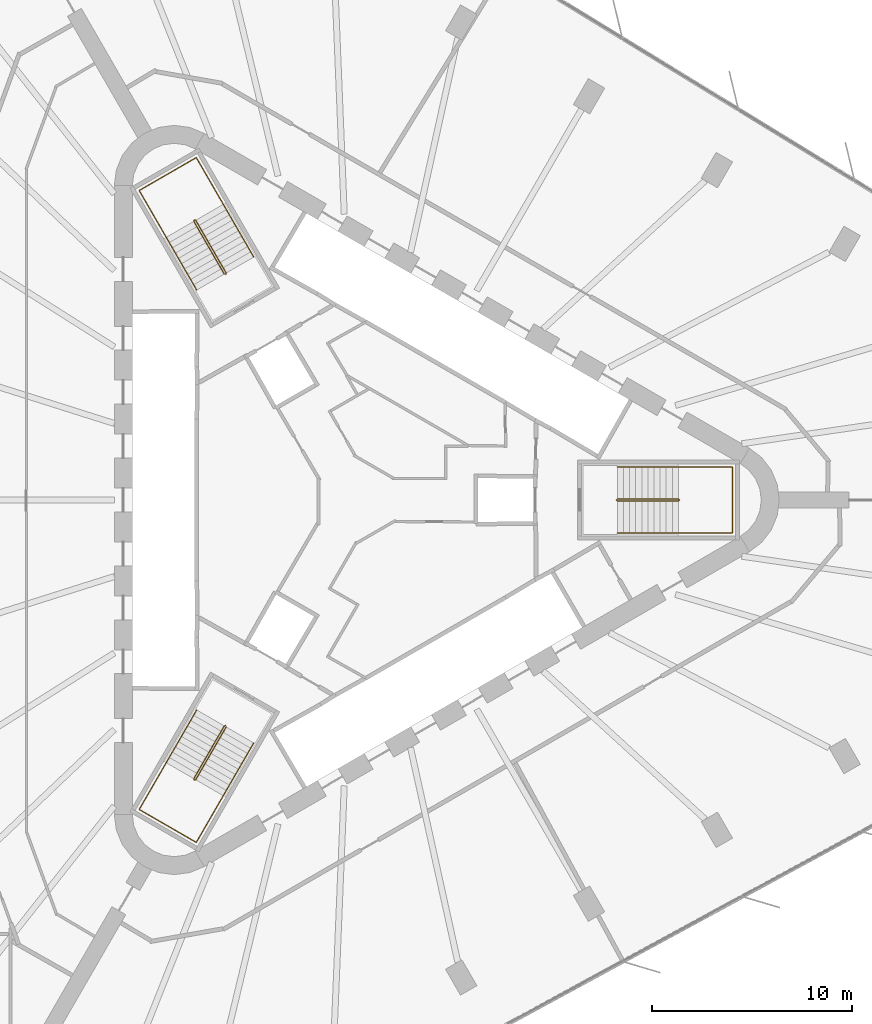
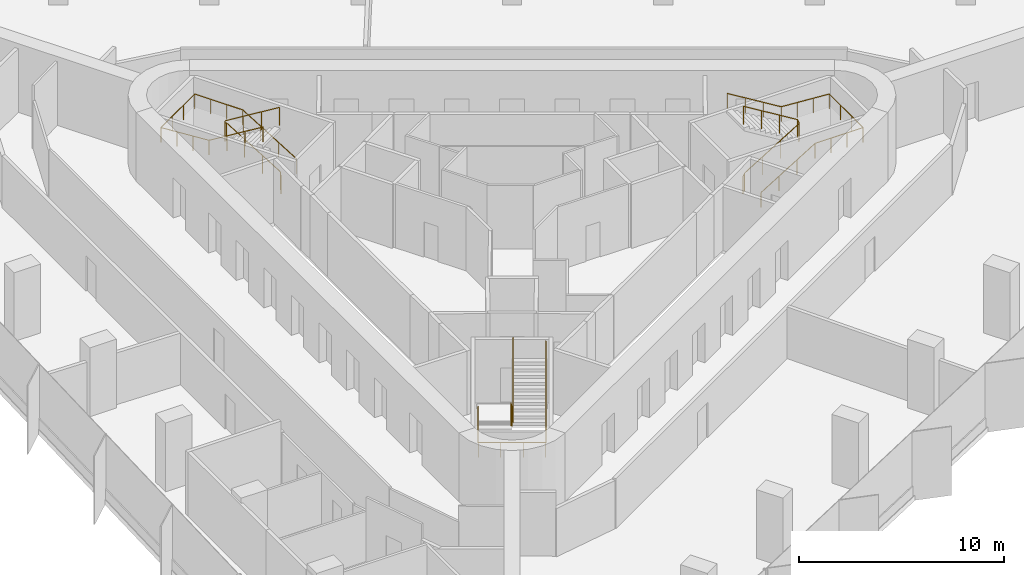
# One storey, part 13 of 13: 6 railings.
"""IFC4 building model written with IfcOpenShell, lengths in metres."""

from ifc_helpers import new_model, si_unit, direction, frame, origin, origin_2d, place, context, subcontext, project, spatial, circle, extrude, material, type_object, element, save


model = new_model("IFC4")

# Units and contexts
model_context = context("Model", 3, precision=1e-05, world=origin(), true_north=direction((0.0, 1.0)))
body_context = subcontext(model_context, "Body", "Model", "MODEL_VIEW")
ifc_project = project(units=[si_unit("LENGTHUNIT", "METRE"), si_unit("AREAUNIT", "SQUARE_METRE"), si_unit("VOLUMEUNIT", "CUBIC_METRE"), si_unit("PLANEANGLEUNIT", "RADIAN"), si_unit("MASSUNIT", "GRAM", prefix="KILO")], contexts=[model_context])

# Site, building, storey
site_placement = place(None, origin())
site = spatial("IfcSite", under=ifc_project, at=site_placement, CompositionType="ELEMENT")
building_placement = place(site_placement, origin())
building = spatial("IfcBuilding", under=site, at=building_placement, Name="Tanit Gate Tower", CompositionType="ELEMENT")
storey_placement = place(building_placement, frame((0.0, 0.0, 61.89990234375)))
storey = spatial("IfcBuildingStorey", under=building, at=storey_placement, Name="L11", CompositionType="ELEMENT", Elevation=61.89990234375)

# Railings
ifc_material_1 = material(Name="Stainless steel balustrade", Category="steel")
railing_type_1 = type_object("IfcRailingType", Name="INT-STAIR-GUARD", PredefinedType="GUARDRAIL", material=ifc_material_1)
railing_1_placement = place(storey_placement, frame((13.044921875, 0.0048828125, 0.0)))
element("IfcRailing", 1, at=railing_1_placement, inside=storey, type_object=railing_type_1, Name="L11 S1 stair guard 1", PredefinedType="GUARDRAIL", context=body_context, shape_type="SweptSolid", body=[
    extrude(circle(Radius=0.02392578125, at=origin_2d()), frame((0.0, 0.0, 1.076171875), z_axis=(0.0, -1.0, 0.0), x_axis=(1.0, 0.0, 0.0)), (0.0, 0.0, 1.0), 0.009765625),
    extrude(circle(Radius=0.02392578125, at=origin_2d()), frame((0.0, -0.009765625, 1.076171875), z_axis=(0.250869701741, -0.250869701741, 0.934948546978), x_axis=(0.707106781187, 0.707106781187, 0.0)), (0.0, 0.0, 1.0), 0.199462890625),
    extrude(circle(Radius=0.02392578125, at=origin_2d()), frame((0.050048828125, -0.059814453125, 1.2626953125), z_axis=(0.853405036568, 0.0, 0.521248351134), x_axis=(0.0, 1.0, 0.0)), (0.0, 0.0, 1.0), 3.5751953125),
    extrude(circle(Radius=0.02392578125, at=origin_2d()), frame((3.10107421875, -0.059814453125, 3.1259765625), z_axis=(0.707106781187, 0.707106781187, 0.0), x_axis=(-0.707106781187, 0.707106781187, 0.0)), (0.0, 0.0, 1.0), 0.07080078125),
    extrude(circle(Radius=0.02392578125, at=origin_2d()), frame((3.151123046875, -0.009765625, 3.1259765625), z_axis=(0.0, 1.0, 0.0), x_axis=(-1.0, 0.0, 0.0)), (0.0, 0.0, 1.0), 0.009765625),
    extrude(circle(Radius=0.02392578125, at=origin_2d()), frame((3.151123046875, 0.0, 3.1259765625), z_axis=(-0.250869701741, 0.250869701741, 0.934948546978), x_axis=(-0.707106781187, -0.707106781187, 0.0)), (0.0, 0.0, 1.0), 0.199462890625),
    extrude(circle(Radius=0.02392578125, at=origin_2d()), frame((3.10107421875, 0.050048828125, 3.3125), z_axis=(-0.853405036568, 0.0, 0.521248351134), x_axis=(0.0, -1.0, 0.0)), (0.0, 0.0, 1.0), 3.5751953125),
    extrude(circle(Radius=0.02099609375, at=origin_2d()), origin(), (0.0, 0.0, 1.0), 1.052001953125),
    extrude(circle(Radius=0.02099609375, at=origin_2d()), frame((0.0, -0.009765625, 0.0)), (0.0, 0.0, 1.0), 1.052001953125),
    extrude(circle(Radius=0.02099609375, at=origin_2d()), frame((0.050048828125, -0.059814453125, 0.1865234375)), (0.0, 0.0, 1.0), 1.052001953125),
    extrude(circle(Radius=0.02099609375, at=origin_2d()), frame((1.067138671875, -0.059814453125, 0.8076171875)), (0.0, 0.0, 1.0), 1.052001953125),
    extrude(circle(Radius=0.02099609375, at=origin_2d()), frame((2.083984375, -0.059814453125, 1.428955078125)), (0.0, 0.0, 1.0), 1.052001953125),
    extrude(circle(Radius=0.02099609375, at=origin_2d()), frame((3.10107421875, -0.059814453125, 2.050048828125)), (0.0, 0.0, 1.0), 1.052001953125),
    extrude(circle(Radius=0.02099609375, at=origin_2d()), frame((3.151123046875, -0.009765625, 2.050048828125)), (0.0, 0.0, 1.0), 1.052001953125),
    extrude(circle(Radius=0.02099609375, at=origin_2d()), frame((3.151123046875, 0.0, 2.050048828125)), (0.0, 0.0, 1.0), 1.052001953125),
    extrude(circle(Radius=0.02099609375, at=origin_2d()), frame((3.10107421875, 0.050048828125, 2.236572265625)), (0.0, 0.0, 1.0), 1.052001953125),
    extrude(circle(Radius=0.02099609375, at=origin_2d()), frame((2.083984375, 0.050048828125, 2.857666015625)), (0.0, 0.0, 1.0), 1.052001953125),
    extrude(circle(Radius=0.02099609375, at=origin_2d()), frame((1.067138671875, 0.050048828125, 3.47900390625)), (0.0, 0.0, 1.0), 1.052001953125),
    extrude(circle(Radius=0.02099609375, at=origin_2d()), frame((0.050048828125, 0.050048828125, 4.10009765625)), (0.0, 0.0, 1.0), 1.052001953125),
])
railing_2_placement = place(storey_placement, frame((-6.527099609375, 11.29345703125, 0.0)))
element("IfcRailing", 2, at=railing_2_placement, inside=storey, type_object=railing_type_1, Name="L11 S2 stair guard 1", PredefinedType="GUARDRAIL", context=body_context, shape_type="SweptSolid", body=[
    extrude(circle(Radius=0.02392578125, at=origin_2d()), frame((0.0, 0.0, 1.076171875), z_axis=(0.868243142124, 0.496138938357, 0.0), x_axis=(-0.496138938357, 0.868243142124, 0.0)), (0.0, 0.0, 1.0), 0.01171875),
    extrude(circle(Radius=0.02392578125, at=origin_2d()), frame((0.01025390625, 0.005859375, 1.076171875), z_axis=(0.09178331637, 0.342657714447, 0.934966049419), x_axis=(-0.965948051503, 0.258736085224, 0.0)), (0.0, 0.0, 1.0), 0.199462890625),
    extrude(circle(Radius=0.02392578125, at=origin_2d()), frame((0.028564453125, 0.07421875, 1.2626953125), z_axis=(-0.426651696395, 0.73893750972, 0.521478366466), x_axis=(-0.866012246495, -0.500022788402, 0.0)), (0.0, 0.0, 1.0), 3.573486328125),
    extrude(circle(Radius=0.02392578125, at=origin_2d()), frame((-1.49609375, 2.71484375, 3.1259765625), z_axis=(-0.965715946433, 0.259601060869, 0.0), x_axis=(-0.259601060869, -0.965715946433, 0.0)), (0.0, 0.0, 1.0), 0.070556640625),
    extrude(circle(Radius=0.02392578125, at=origin_2d()), frame((-1.564208984375, 2.733154296875, 3.1259765625), z_axis=(-0.873197702015, -0.487366159264, 0.0), x_axis=(0.487366159264, -0.873197702015, 0.0)), (0.0, 0.0, 1.0), 0.011962890625),
    extrude(circle(Radius=0.02392578125, at=origin_2d()), frame((-1.57470703125, 2.727294921875, 3.1259765625), z_axis=(-0.09178331637, -0.342657714447, 0.934966049419), x_axis=(0.965948051503, -0.258736085224, 0.0)), (0.0, 0.0, 1.0), 0.199462890625),
    extrude(circle(Radius=0.02392578125, at=origin_2d()), frame((-1.593017578125, 2.658935546875, 3.3125), z_axis=(0.426651696395, -0.73893750972, 0.521478366466), x_axis=(0.866012246495, 0.500022788402, 0.0)), (0.0, 0.0, 1.0), 3.573486328125),
    extrude(circle(Radius=0.02099609375, at=origin_2d()), origin(), (0.0, 0.0, 1.0), 1.052001953125),
    extrude(circle(Radius=0.02099609375, at=origin_2d()), frame((0.01025390625, 0.005859375, 0.0)), (0.0, 0.0, 1.0), 1.052001953125),
    extrude(circle(Radius=0.02099609375, at=origin_2d()), frame((0.028564453125, 0.07421875, 0.1865234375)), (0.0, 0.0, 1.0), 1.052001953125),
    extrude(circle(Radius=0.02099609375, at=origin_2d()), frame((-0.479736328125, 0.954345703125, 0.8076171875)), (0.0, 0.0, 1.0), 1.052001953125),
    extrude(circle(Radius=0.02099609375, at=origin_2d()), frame((-0.98779296875, 1.834716796875, 1.428955078125)), (0.0, 0.0, 1.0), 1.052001953125),
    extrude(circle(Radius=0.02099609375, at=origin_2d()), frame((-1.49609375, 2.71484375, 2.050048828125)), (0.0, 0.0, 1.0), 1.052001953125),
    extrude(circle(Radius=0.02099609375, at=origin_2d()), frame((-1.564208984375, 2.733154296875, 2.050048828125)), (0.0, 0.0, 1.0), 1.052001953125),
    extrude(circle(Radius=0.02099609375, at=origin_2d()), frame((-1.57470703125, 2.727294921875, 2.050048828125)), (0.0, 0.0, 1.0), 1.052001953125),
    extrude(circle(Radius=0.02099609375, at=origin_2d()), frame((-1.593017578125, 2.658935546875, 2.236572265625)), (0.0, 0.0, 1.0), 1.052001953125),
    extrude(circle(Radius=0.02099609375, at=origin_2d()), frame((-1.084716796875, 1.77880859375, 2.857666015625)), (0.0, 0.0, 1.0), 1.052001953125),
    extrude(circle(Radius=0.02099609375, at=origin_2d()), frame((-0.57666015625, 0.8984375, 3.47900390625)), (0.0, 0.0, 1.0), 1.052001953125),
    extrude(circle(Radius=0.02099609375, at=origin_2d()), frame((-0.068359375, 0.018310546875, 4.10009765625)), (0.0, 0.0, 1.0), 1.052001953125),
])
railing_3_placement = place(storey_placement, frame((-6.51806640625, -11.2998046875, 0.0)))
element("IfcRailing", 3, at=railing_3_placement, inside=storey, type_object=railing_type_1, Name="L11 S3 stair guard 1", PredefinedType="GUARDRAIL", context=body_context, shape_type="SweptSolid", body=[
    extrude(circle(Radius=0.02392578125, at=origin_2d()), frame((0.0, 0.0, 1.076171875), z_axis=(-0.874157276122, 0.485642931179, 0.0), x_axis=(-0.485642931179, -0.874157276122, 0.0)), (0.0, 0.0, 1.0), 0.010009765625),
    extrude(circle(Radius=0.02392578125, at=origin_2d()), frame((-0.0087890625, 0.0048828125, 1.076171875), z_axis=(-0.342695952383, -0.090569644558, 0.935070384359), x_axis=(0.255512919477, -0.966805641264, 0.0)), (0.0, 0.0, 1.0), 0.199462890625),
    extrude(circle(Radius=0.02392578125, at=origin_2d()), frame((-0.0771484375, -0.01318359375, 1.2626953125), z_axis=(-0.426668548982, -0.73908990167, 0.521248565042), x_axis=(0.866048339477, -0.499960272111, 0.0)), (0.0, 0.0, 1.0), 3.5751953125),
    extrude(circle(Radius=0.02392578125, at=origin_2d()), frame((-1.6025390625, -2.655517578125, 3.1259765625), z_axis=(0.258736085224, -0.965948051503, 0.0), x_axis=(0.965948051503, 0.258736085224, 0.0)), (0.0, 0.0, 1.0), 0.07080078125),
    extrude(circle(Radius=0.02392578125, at=origin_2d()), frame((-1.584228515625, -2.723876953125, 3.1259765625), z_axis=(0.868243142124, -0.496138938357, 0.0), x_axis=(0.496138938357, 0.868243142124, 0.0)), (0.0, 0.0, 1.0), 0.009765625),
    extrude(circle(Radius=0.02392578125, at=origin_2d()), frame((-1.57568359375, -2.728759765625, 3.1259765625), z_axis=(0.342657714447, 0.09178331637, 0.934966049419), x_axis=(-0.258736085224, 0.965948051503, 0.0)), (0.0, 0.0, 1.0), 0.199462890625),
    extrude(circle(Radius=0.02392578125, at=origin_2d()), frame((-1.50732421875, -2.71044921875, 3.3125), z_axis=(0.426745940485, 0.73903737685, 0.521259683745), x_axis=(-0.865993683553, 0.500054937028, 0.0)), (0.0, 0.0, 1.0), 3.574951171875),
    extrude(circle(Radius=0.02099609375, at=origin_2d()), origin(), (0.0, 0.0, 1.0), 1.052001953125),
    extrude(circle(Radius=0.02099609375, at=origin_2d()), frame((-0.0087890625, 0.0048828125, 0.0)), (0.0, 0.0, 1.0), 1.052001953125),
    extrude(circle(Radius=0.02099609375, at=origin_2d()), frame((-0.0771484375, -0.01318359375, 0.1865234375)), (0.0, 0.0, 1.0), 1.052001953125),
    extrude(circle(Radius=0.02099609375, at=origin_2d()), frame((-0.585693359375, -0.89404296875, 0.8076171875)), (0.0, 0.0, 1.0), 1.052001953125),
    extrude(circle(Radius=0.02099609375, at=origin_2d()), frame((-1.093994140625, -1.774658203125, 1.428955078125)), (0.0, 0.0, 1.0), 1.052001953125),
    extrude(circle(Radius=0.02099609375, at=origin_2d()), frame((-1.6025390625, -2.655517578125, 2.050048828125)), (0.0, 0.0, 1.0), 1.052001953125),
    extrude(circle(Radius=0.02099609375, at=origin_2d()), frame((-1.584228515625, -2.723876953125, 2.050048828125)), (0.0, 0.0, 1.0), 1.052001953125),
    extrude(circle(Radius=0.02099609375, at=origin_2d()), frame((-1.57568359375, -2.728759765625, 2.050048828125)), (0.0, 0.0, 1.0), 1.052001953125),
    extrude(circle(Radius=0.02099609375, at=origin_2d()), frame((-1.50732421875, -2.71044921875, 2.236572265625)), (0.0, 0.0, 1.0), 1.052001953125),
    extrude(circle(Radius=0.02099609375, at=origin_2d()), frame((-0.998779296875, -1.829833984375, 2.857666015625)), (0.0, 0.0, 1.0), 1.052001953125),
    extrude(circle(Radius=0.02099609375, at=origin_2d()), frame((-0.490234375, -0.948974609375, 3.47900390625)), (0.0, 0.0, 1.0), 1.052001953125),
    extrude(circle(Radius=0.02099609375, at=origin_2d()), frame((0.018310546875, -0.068359375, 4.10009765625)), (0.0, 0.0, 1.0), 1.052001953125),
])
ifc_material_2 = material(Name="Stainless steel handrail", Category="steel")
railing_type_2 = type_object("IfcRailingType", Name="INT-STAIR-HANDRAIL", PredefinedType="HANDRAIL", material=ifc_material_2)
railing_4_placement = place(storey_placement, frame((13.094970703125, -1.64990234375, 0.1865234375)))
element("IfcRailing", 4, at=railing_4_placement, inside=storey, type_object=railing_type_2, Name="L11 S1 stair handrail 1", PredefinedType="HANDRAIL", context=body_context, shape_type="SweptSolid", body=[
    extrude(circle(Radius=0.02392578125, at=origin_2d()), frame((0.0, 0.0, 0.8759765625), z_axis=(0.853405036568, 0.0, 0.521248351134), x_axis=(0.0, 1.0, 0.0)), (0.0, 0.0, 1.0), 3.5751953125),
    extrude(circle(Radius=0.02392578125, at=origin_2d()), frame((3.051025390625, 0.0, 2.7392578125), z_axis=(1.0, 0.0, 0.0), x_axis=(0.0, 1.0, 0.0)), (0.0, 0.0, 1.0), 2.7041015625),
    extrude(circle(Radius=0.02392578125, at=origin_2d()), frame((5.755126953125, 0.0, 2.7392578125), z_axis=(0.0, 1.0, 0.0), x_axis=(-1.0, 0.0, 0.0)), (0.0, 0.0, 1.0), 3.2998046875),
    extrude(circle(Radius=0.02392578125, at=origin_2d()), frame((5.755126953125, 3.2998046875, 2.7392578125), z_axis=(-0.997629475601, 0.0, 0.068814456425), x_axis=(0.0, -1.0, 0.0)), (0.0, 0.0, 1.0), 2.71044921875),
    extrude(circle(Radius=0.02392578125, at=origin_2d()), frame((3.051025390625, 3.2998046875, 2.92578125), z_axis=(-0.853405036568, 0.0, 0.521248351134), x_axis=(0.0, -1.0, 0.0)), (0.0, 0.0, 1.0), 3.5751953125),
    extrude(circle(Radius=0.02099609375, at=origin_2d()), origin(), (0.0, 0.0, 1.0), 0.851806640625),
    extrude(circle(Radius=0.02099609375, at=origin_2d()), frame((1.01708984375, 0.0, 0.62109375)), (0.0, 0.0, 1.0), 0.851806640625),
    extrude(circle(Radius=0.02099609375, at=origin_2d()), frame((2.033935546875, 0.0, 1.242431640625)), (0.0, 0.0, 1.0), 0.851806640625),
    extrude(circle(Radius=0.02099609375, at=origin_2d()), frame((3.051025390625, 0.0, 1.863525390625)), (0.0, 0.0, 1.0), 0.851806640625),
    extrude(circle(Radius=0.02099609375, at=origin_2d()), frame((3.952392578125, 0.0, 1.863525390625)), (0.0, 0.0, 1.0), 0.851806640625),
    extrude(circle(Radius=0.02099609375, at=origin_2d()), frame((4.853759765625, 0.0, 1.863525390625)), (0.0, 0.0, 1.0), 0.851806640625),
    extrude(circle(Radius=0.02099609375, at=origin_2d()), frame((5.755126953125, 0.0, 1.863525390625)), (0.0, 0.0, 1.0), 0.851806640625),
    extrude(circle(Radius=0.02099609375, at=origin_2d()), frame((5.755126953125, 1.099853515625, 1.863525390625)), (0.0, 0.0, 1.0), 0.851806640625),
    extrude(circle(Radius=0.02099609375, at=origin_2d()), frame((5.755126953125, 2.199951171875, 1.863525390625)), (0.0, 0.0, 1.0), 0.851806640625),
    extrude(circle(Radius=0.02099609375, at=origin_2d()), frame((5.755126953125, 3.2998046875, 1.863525390625)), (0.0, 0.0, 1.0), 0.851806640625),
    extrude(circle(Radius=0.02099609375, at=origin_2d()), frame((4.853759765625, 3.2998046875, 1.92578125)), (0.0, 0.0, 1.0), 0.851806640625),
    extrude(circle(Radius=0.02099609375, at=origin_2d()), frame((3.952392578125, 3.2998046875, 1.98779296875)), (0.0, 0.0, 1.0), 0.851806640625),
    extrude(circle(Radius=0.02099609375, at=origin_2d()), frame((3.051025390625, 3.2998046875, 2.050048828125)), (0.0, 0.0, 1.0), 0.851806640625),
    extrude(circle(Radius=0.02099609375, at=origin_2d()), frame((2.033935546875, 3.2998046875, 2.671142578125)), (0.0, 0.0, 1.0), 0.851806640625),
    extrude(circle(Radius=0.02099609375, at=origin_2d()), frame((1.01708984375, 3.2998046875, 3.29248046875)), (0.0, 0.0, 1.0), 0.851806640625),
    extrude(circle(Radius=0.02099609375, at=origin_2d()), frame((0.0, 3.2998046875, 3.91357421875)), (0.0, 0.0, 1.0), 0.851806640625),
])
railing_5_placement = place(storey_placement, frame((-5.1181640625, 12.164794921875, 0.1865234375)))
element("IfcRailing", 5, at=railing_5_placement, inside=storey, type_object=railing_type_2, Name="L11 S2 stair handrail 1", PredefinedType="HANDRAIL", context=body_context, shape_type="SweptSolid", body=[
    extrude(circle(Radius=0.02392578125, at=origin_2d()), frame((0.0, 0.0, 0.8759765625), z_axis=(-0.426595811233, 0.738959047773, 0.521493566166), x_axis=(-0.866046917185, -0.499962735845, 0.0)), (0.0, 0.0, 1.0), 3.573486328125),
    extrude(circle(Radius=0.02392578125, at=origin_2d()), frame((-1.5244140625, 2.640625, 2.7392578125), z_axis=(-0.500019123664, 0.86601436245, 0.0), x_axis=(-0.86601436245, -0.500019123664, 0.0)), (0.0, 0.0, 1.0), 2.70703125),
    extrude(circle(Radius=0.02392578125, at=origin_2d()), frame((-2.8779296875, 4.98486328125, 2.7392578125), z_axis=(-0.866008176907, -0.50002983664, 0.0), x_axis=(0.50002983664, -0.866008176907, 0.0)), (0.0, 0.0, 1.0), 3.300048828125),
    extrude(circle(Radius=0.02392578125, at=origin_2d()), frame((-5.73583984375, 3.334716796875, 2.7392578125), z_axis=(0.498875061953, -0.86394290581, 0.068748294973), x_axis=(0.865991810323, 0.500058181068, 0.0)), (0.0, 0.0, 1.0), 2.713134765625),
    extrude(circle(Radius=0.02392578125, at=origin_2d()), frame((-4.38232421875, 0.99072265625, 2.92578125), z_axis=(0.426630158194, -0.738968522208, 0.521452041232), x_axis=(0.866032263162, 0.499988119021, 0.0)), (0.0, 0.0, 1.0), 3.57373046875),
    extrude(circle(Radius=0.02099609375, at=origin_2d()), origin(), (0.0, 0.0, 1.0), 0.851806640625),
    extrude(circle(Radius=0.02099609375, at=origin_2d()), frame((-0.508056640625, 0.880126953125, 0.62109375)), (0.0, 0.0, 1.0), 0.851806640625),
    extrude(circle(Radius=0.02099609375, at=origin_2d()), frame((-1.016357421875, 1.760498046875, 1.242431640625)), (0.0, 0.0, 1.0), 0.851806640625),
    extrude(circle(Radius=0.02099609375, at=origin_2d()), frame((-1.5244140625, 2.640625, 1.863525390625)), (0.0, 0.0, 1.0), 0.851806640625),
    extrude(circle(Radius=0.02099609375, at=origin_2d()), frame((-1.9755859375, 3.422119140625, 1.863525390625)), (0.0, 0.0, 1.0), 0.851806640625),
    extrude(circle(Radius=0.02099609375, at=origin_2d()), frame((-2.4267578125, 4.203369140625, 1.863525390625)), (0.0, 0.0, 1.0), 0.851806640625),
    extrude(circle(Radius=0.02099609375, at=origin_2d()), frame((-2.8779296875, 4.98486328125, 1.863525390625)), (0.0, 0.0, 1.0), 0.851806640625),
    extrude(circle(Radius=0.02099609375, at=origin_2d()), frame((-3.83056640625, 4.434814453125, 1.863525390625)), (0.0, 0.0, 1.0), 0.851806640625),
    extrude(circle(Radius=0.02099609375, at=origin_2d()), frame((-4.783203125, 3.884765625, 1.863525390625)), (0.0, 0.0, 1.0), 0.851806640625),
    extrude(circle(Radius=0.02099609375, at=origin_2d()), frame((-5.73583984375, 3.334716796875, 1.863525390625)), (0.0, 0.0, 1.0), 0.851806640625),
    extrude(circle(Radius=0.02099609375, at=origin_2d()), frame((-5.28466796875, 2.553466796875, 1.92578125)), (0.0, 0.0, 1.0), 0.851806640625),
    extrude(circle(Radius=0.02099609375, at=origin_2d()), frame((-4.83349609375, 1.77197265625, 1.98779296875)), (0.0, 0.0, 1.0), 0.851806640625),
    extrude(circle(Radius=0.02099609375, at=origin_2d()), frame((-4.38232421875, 0.99072265625, 2.050048828125)), (0.0, 0.0, 1.0), 0.851806640625),
    extrude(circle(Radius=0.02099609375, at=origin_2d()), frame((-3.8740234375, 0.1103515625, 2.671142578125)), (0.0, 0.0, 1.0), 0.851806640625),
    extrude(circle(Radius=0.02099609375, at=origin_2d()), frame((-3.365966796875, -0.769775390625, 3.29248046875)), (0.0, 0.0, 1.0), 0.851806640625),
    extrude(circle(Radius=0.02099609375, at=origin_2d()), frame((-2.857666015625, -1.650146484375, 3.91357421875)), (0.0, 0.0, 1.0), 0.851806640625),
])
railing_6_placement = place(storey_placement, frame((-7.9765625, -10.515625, 0.1865234375)))
element("IfcRailing", 6, at=railing_6_placement, inside=storey, type_object=railing_type_2, Name="L11 S3 stair handrail 1", PredefinedType="HANDRAIL", context=body_context, shape_type="SweptSolid", body=[
    extrude(circle(Radius=0.02392578125, at=origin_2d()), frame((0.0, 0.0, 0.8759765625), z_axis=(-0.426668548982, -0.73908990167, 0.521248565042), x_axis=(0.866048339477, -0.499960272111, 0.0)), (0.0, 0.0, 1.0), 3.5751953125),
    extrude(circle(Radius=0.02392578125, at=origin_2d()), frame((-1.525390625, -2.642333984375, 2.7392578125), z_axis=(-0.50004290449, -0.866000631449, 0.0), x_axis=(0.866000631449, -0.50004290449, 0.0)), (0.0, 0.0, 1.0), 2.703857421875),
    extrude(circle(Radius=0.02392578125, at=origin_2d()), frame((-2.87744140625, -4.98388671875, 2.7392578125), z_axis=(0.866008176907, -0.50002983664, 0.0), x_axis=(0.50002983664, 0.866008176907, 0.0)), (0.0, 0.0, 1.0), 3.300048828125),
    extrude(circle(Radius=0.02392578125, at=origin_2d()), frame((-0.01953125, -6.634033203125, 2.7392578125), z_axis=(0.498818517556, 0.863970245648, 0.068814977864), x_axis=(-0.866023205937, 0.500003806764, 0.0)), (0.0, 0.0, 1.0), 2.71044921875),
    extrude(circle(Radius=0.02392578125, at=origin_2d()), frame((1.33251953125, -4.292236328125, 2.92578125), z_axis=(0.426668548982, 0.73908990167, 0.521248565042), x_axis=(-0.866048339477, 0.499960272111, 0.0)), (0.0, 0.0, 1.0), 3.5751953125),
    extrude(circle(Radius=0.02099609375, at=origin_2d()), origin(), (0.0, 0.0, 1.0), 0.851806640625),
    extrude(circle(Radius=0.02099609375, at=origin_2d()), frame((-0.508544921875, -0.880859375, 0.62109375)), (0.0, 0.0, 1.0), 0.851806640625),
    extrude(circle(Radius=0.02099609375, at=origin_2d()), frame((-1.016845703125, -1.761474609375, 1.242431640625)), (0.0, 0.0, 1.0), 0.851806640625),
    extrude(circle(Radius=0.02099609375, at=origin_2d()), frame((-1.525390625, -2.642333984375, 1.863525390625)), (0.0, 0.0, 1.0), 0.851806640625),
    extrude(circle(Radius=0.02099609375, at=origin_2d()), frame((-1.97607421875, -3.4228515625, 1.863525390625)), (0.0, 0.0, 1.0), 0.851806640625),
    extrude(circle(Radius=0.02099609375, at=origin_2d()), frame((-2.4267578125, -4.203369140625, 1.863525390625)), (0.0, 0.0, 1.0), 0.851806640625),
    extrude(circle(Radius=0.02099609375, at=origin_2d()), frame((-2.87744140625, -4.98388671875, 1.863525390625)), (0.0, 0.0, 1.0), 0.851806640625),
    extrude(circle(Radius=0.02099609375, at=origin_2d()), frame((-1.9248046875, -5.533935546875, 1.863525390625)), (0.0, 0.0, 1.0), 0.851806640625),
    extrude(circle(Radius=0.02099609375, at=origin_2d()), frame((-0.97216796875, -6.083984375, 1.863525390625)), (0.0, 0.0, 1.0), 0.851806640625),
    extrude(circle(Radius=0.02099609375, at=origin_2d()), frame((-0.01953125, -6.634033203125, 1.863525390625)), (0.0, 0.0, 1.0), 0.851806640625),
    extrude(circle(Radius=0.02099609375, at=origin_2d()), frame((0.43115234375, -5.853515625, 1.92578125)), (0.0, 0.0, 1.0), 0.851806640625),
    extrude(circle(Radius=0.02099609375, at=origin_2d()), frame((0.8818359375, -5.07275390625, 1.98779296875)), (0.0, 0.0, 1.0), 0.851806640625),
    extrude(circle(Radius=0.02099609375, at=origin_2d()), frame((1.33251953125, -4.292236328125, 2.050048828125)), (0.0, 0.0, 1.0), 0.851806640625),
    extrude(circle(Radius=0.02099609375, at=origin_2d()), frame((1.841064453125, -3.411376953125, 2.671142578125)), (0.0, 0.0, 1.0), 0.851806640625),
    extrude(circle(Radius=0.02099609375, at=origin_2d()), frame((2.349365234375, -2.53076171875, 3.29248046875)), (0.0, 0.0, 1.0), 0.851806640625),
    extrude(circle(Radius=0.02099609375, at=origin_2d()), frame((2.85791015625, -1.64990234375, 3.91357421875)), (0.0, 0.0, 1.0), 0.851806640625),
])

save(model, "model.ifc")
